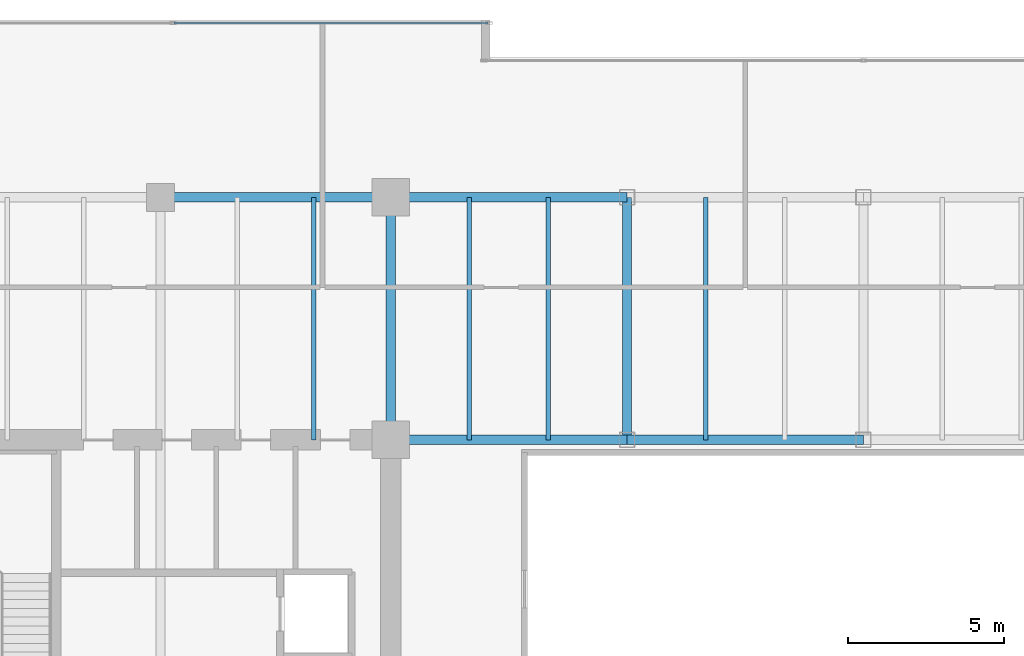
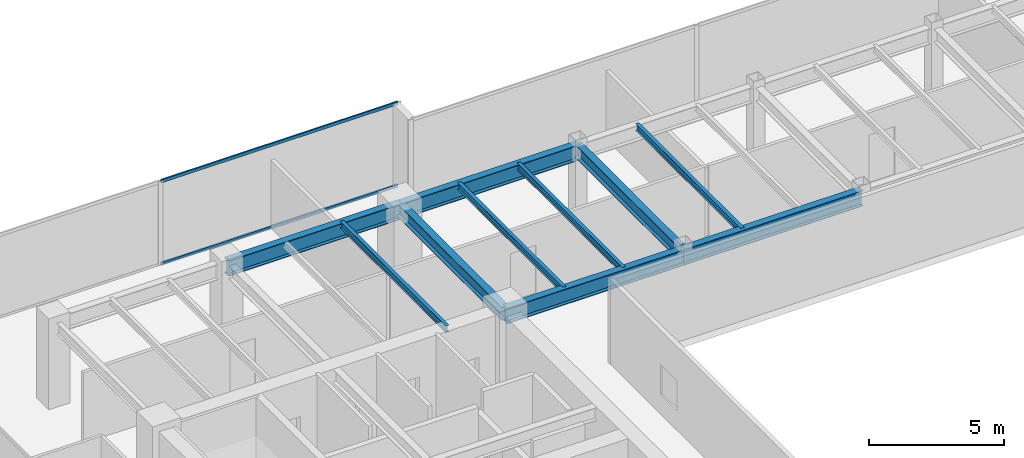
# One storey, part 15 of 31: 10 beams, 2 members, 1 element without a shape of its own.
"""IFC4 building model written with IfcOpenShell, lengths in metres."""

from ifc_helpers import new_model, si_unit, direction, frame, origin, origin_2d, place, context, subcontext, project, spatial, hollow_rectangle, i_section, extrude, source, transform, mapped, material, layer, layer_set, material_profile, profile_set, type_object, type_shapes, element, aggregate, save


model = new_model("IFC4")

# Units and contexts
model_context = context("Model", 3, precision=1e-05, world=origin(), true_north=direction((0.0, 1.0)))
body_context = subcontext(model_context, "Body", "Model", "MODEL_VIEW")
ifc_project = project(units=[si_unit("LENGTHUNIT", "METRE"), si_unit("AREAUNIT", "SQUARE_METRE"), si_unit("VOLUMEUNIT", "CUBIC_METRE"), si_unit("PLANEANGLEUNIT", "RADIAN"), si_unit("MASSUNIT", "GRAM", prefix="KILO")], contexts=[model_context])

# Site, building, storey
site_placement = place(None, origin())
site = spatial("IfcSite", under=ifc_project, at=site_placement, CompositionType="ELEMENT")
building_placement = place(site_placement, origin())
building = spatial("IfcBuilding", under=site, at=building_placement, Name="Haelvirn Gate Laboratories", CompositionType="ELEMENT")
storey_placement = place(building_placement, frame((0.0, 0.0, 154.300048828125)))
storey = spatial("IfcBuildingStorey", under=building, at=storey_placement, Name="L37", CompositionType="ELEMENT", Elevation=154.300048828125)

# Beams
ifc_material_1 = material(Name="Steel SM355", Category="steel")
ifc_material_profile_1 = material_profile(ifc_material_1, i_section(OverallWidth=0.300048828125, OverallDepth=0.699951171875, WebThickness=0.012939453125, FlangeThickness=0.02392578125, at=origin_2d()), Name="H-700x300x13x24")
ifc_profile_set_1 = profile_set([ifc_material_profile_1], Name="Steel SM355")
beam_type_1 = type_object("IfcBeamType", Name="BM-G-700", PredefinedType="BEAM", material=ifc_profile_set_1)
shared_shape_1 = source(origin(), body_context, "Body", "SweptSolid", [
    extrude(i_section(OverallWidth=0.300048828125, OverallDepth=0.699951171875, WebThickness=0.012939453125, FlangeThickness=0.02392578125, at=origin_2d()), origin(), (0.0, 0.0, 1.0), 7.39990234375),
])
beam_1_placement = place(storey_placement, frame((14.800048828125, 41.60009765625, 3.43994140625), z_axis=(1.0, 0.0, 0.0), x_axis=(0.0, 1.0, 0.0)))
element("IfcBeam", 1, at=beam_1_placement, inside=storey, type_object=beam_type_1, Name="L37 Primary Girder Y41.6 (14.8-22.2)", PredefinedType="BEAM", context=body_context, shape_type="MappedRepresentation", body=[
    mapped(shared_shape_1, transform((0.0, 0.0, 0.0), scale=1.0)),
])
shared_shape_2 = source(origin(), body_context, "Body", "SweptSolid", [
    extrude(i_section(OverallWidth=0.300048828125, OverallDepth=0.699951171875, WebThickness=0.012939453125, FlangeThickness=0.02392578125, at=origin_2d()), origin(), (0.0, 0.0, 1.0), 7.60009765625),
])
for number, where, z_axis, x_axis, name in (
    (2, (22.199951171875, 33.800048828125, 3.43994140625), (1.0, 0.0, 0.0), (0.0, 1.0, 0.0), "L37 Primary Girder Y33.8 (22.2-29.8)"),
    (3, (22.199951171875, 41.60009765625, 3.43994140625), (1.0, 0.0, 0.0), (0.0, 1.0, 0.0), "L37 Primary Girder Y41.6 (22.2-29.8)"),
):
    element("IfcBeam", number, at=place(storey_placement, frame(where, z_axis=z_axis, x_axis=x_axis)), inside=storey, type_object=beam_type_1, Name=name, PredefinedType="BEAM", context=body_context, shape_type="MappedRepresentation", body=[
        mapped(shared_shape_2, transform((0.0, 0.0, 0.0), scale=1.0)),
    ])
shared_shape_3 = source(origin(), body_context, "Body", "SweptSolid", [
    extrude(i_section(OverallWidth=0.300048828125, OverallDepth=0.699951171875, WebThickness=0.012939453125, FlangeThickness=0.02392578125, at=origin_2d()), origin(), (0.0, 0.0, 1.0), 7.599853515625),
])
type_shapes(beam_type_1, [shared_shape_1, shared_shape_2, shared_shape_3])
beam_2_placement = place(storey_placement, frame((29.800048828125, 33.800048828125, 3.43994140625), z_axis=(1.0, 0.0, 0.0), x_axis=(0.0, 1.0, 0.0)))
element("IfcBeam", 4, at=beam_2_placement, inside=storey, type_object=beam_type_1, Name="L37 Primary Girder Y33.8 (29.8-37.4)", PredefinedType="BEAM", context=body_context, shape_type="MappedRepresentation", body=[
    mapped(shared_shape_3, transform((0.0, 0.0, 0.0), scale=1.0)),
])
ifc_material_profile_2 = material_profile(ifc_material_1, i_section(OverallWidth=0.14990234375, OverallDepth=0.300048828125, WebThickness=0.006591796875, FlangeThickness=0.009033203125, at=origin_2d()), Name="H-300x150x6.5x9")
ifc_profile_set_2 = profile_set([ifc_material_profile_2], Name="Steel SM355")
beam_type_2 = type_object("IfcBeamType", Name="BM-J-300", PredefinedType="JOIST", material=ifc_profile_set_2)
shared_shape_4 = source(origin(), body_context, "Body", "SweptSolid", [
    extrude(i_section(OverallWidth=0.14990234375, OverallDepth=0.300048828125, WebThickness=0.006591796875, FlangeThickness=0.009033203125, at=origin_2d()), origin(), (0.0, 0.0, 1.0), 7.800048828125),
])
type_shapes(beam_type_2, [shared_shape_4])
for number, where, z_axis, x_axis, name in (
    (5, (19.72998046875, 33.800048828125, 3.639892578125), (0.0, 1.0, 0.0), (-1.0, 0.0, 0.0), "L37 Composite Lab Joist North X19.73"),
    (6, (24.72998046875, 33.800048828125, 3.639892578125), (0.0, 1.0, 0.0), (-1.0, 0.0, 0.0), "L37 Composite Lab Joist North X24.73"),
    (7, (27.27001953125, 33.800048828125, 3.639892578125), (0.0, 1.0, 0.0), (-1.0, 0.0, 0.0), "L37 Composite Lab Joist North X27.27"),
    (8, (32.330078125, 33.800048828125, 3.639892578125), (0.0, 1.0, 0.0), (-1.0, 0.0, 0.0), "L37 Composite Lab Joist North X32.33"),
):
    element("IfcBeam", number, at=place(storey_placement, frame(where, z_axis=z_axis, x_axis=x_axis)), inside=storey, type_object=beam_type_2, Name=name, PredefinedType="JOIST", context=body_context, shape_type="MappedRepresentation", body=[
        mapped(shared_shape_4, transform((0.0, 0.0, 0.0), scale=1.0)),
    ])
ifc_material_profile_3 = material_profile(ifc_material_1, i_section(OverallWidth=0.300048828125, OverallDepth=0.587890625, WebThickness=0.011962890625, FlangeThickness=0.02001953125, at=origin_2d()), Name="H-588x300x12x20")
ifc_profile_set_3 = profile_set([ifc_material_profile_3], Name="Steel SM355")
beam_type_3 = type_object("IfcBeamType", Name="BM-G-588", PredefinedType="BEAM", material=ifc_profile_set_3)
shared_shape_5 = source(origin(), body_context, "Body", "SweptSolid", [
    extrude(i_section(OverallWidth=0.300048828125, OverallDepth=0.587890625, WebThickness=0.011962890625, FlangeThickness=0.02001953125, at=origin_2d()), origin(), (0.0, 0.0, 1.0), 7.800048828125),
])
type_shapes(beam_type_3, [shared_shape_5])
for number, where, z_axis, x_axis, name in (
    (9, (22.199951171875, 33.800048828125, 3.495849609375), (0.0, 1.0, 0.0), (-1.0, 0.0, 0.0), "L37 Frame Girder X22.2 (33.8-41.6)"),
    (10, (29.800048828125, 33.800048828125, 3.495849609375), (0.0, 1.0, 0.0), (-1.0, 0.0, 0.0), "L37 Frame Girder X29.8 (33.8-41.6)"),
):
    element("IfcBeam", number, at=place(storey_placement, frame(where, z_axis=z_axis, x_axis=x_axis)), inside=storey, type_object=beam_type_3, Name=name, PredefinedType="BEAM", context=body_context, shape_type="MappedRepresentation", body=[
        mapped(shared_shape_5, transform((0.0, 0.0, 0.0), scale=1.0)),
    ])

# Curtain wall, members
ifc_material_2 = material(Name="Anodised bronze unitised aluminium & triple low-E glass", Category="aluminium")
ifc_layer = layer(ifc_material_2, 0.179931640625, Name="CW-SYS-3")
ifc_layer_set = layer_set([ifc_layer], Name="Anodised bronze unitised aluminium & triple low-E glass")
curtain_wall_type = type_object("IfcCurtainWallType", Name="CW-SYS-3", PredefinedType="NOTDEFINED", material=ifc_layer_set)
curtain_wall_placement = place(storey_placement, origin())
curtain_wall = element("IfcCurtainWall", 11, at=curtain_wall_placement, inside=storey, type_object=curtain_wall_type, Name="L37 Unitised Curtain Wall CW-L37-P0-E14-1", PredefinedType="NOTDEFINED")
ifc_material_3 = material(Name="Extruded aluminium 6063-T6 (anodised bronze)", Category="aluminium")
ifc_material_profile_4 = material_profile(ifc_material_3, hollow_rectangle(XDim=0.06494140625, YDim=0.139892578125, WallThickness=0.00390625, at=origin_2d()), Name="CWT-140x65x4")
ifc_profile_set_4 = profile_set([ifc_material_profile_4], Name="Extruded aluminium 6063-T6 (anodised bronze)")
member_type = type_object("IfcMemberType", Name="CWT-T140", PredefinedType="USERDEFINED", material=ifc_profile_set_4)
shared_shape_6 = source(origin(), body_context, "Body", "SweptSolid", [
    extrude(hollow_rectangle(XDim=0.06494140625, YDim=0.139892578125, WallThickness=0.00390625, at=origin_2d()), origin(), (0.0, 0.0, 1.0), 10.08740234375),
])
type_shapes(member_type, [shared_shape_6])
member_1_placement = place(storey_placement, frame((15.237548828125, 47.199951171875, 0.032470703125), z_axis=(1.0, 0.0, 0.0), x_axis=(0.0, 1.0, 0.0)))
member_1 = element("IfcMember", 12, at=member_1_placement, type_object=member_type, Name="CW3 transom 2.1", ObjectType="TRANSOM", PredefinedType="USERDEFINED", context=body_context, shape_type="MappedRepresentation", body=[
    mapped(shared_shape_6, transform((0.0, 0.0, 0.0), scale=1.0)),
])
member_2_placement = place(storey_placement, frame((15.237548828125, 47.199951171875, 3.757568359375), z_axis=(1.0, 0.0, 0.0), x_axis=(0.0, 1.0, 0.0)))
member_2 = element("IfcMember", 13, at=member_2_placement, type_object=member_type, Name="CW3 transom 2.2", ObjectType="TRANSOM", PredefinedType="USERDEFINED", context=body_context, shape_type="MappedRepresentation", body=[
    mapped(shared_shape_6, transform((0.0, 0.0, 0.0), scale=1.0)),
])
aggregate(curtain_wall, [member_1, member_2])

save(model, "model.ifc")
